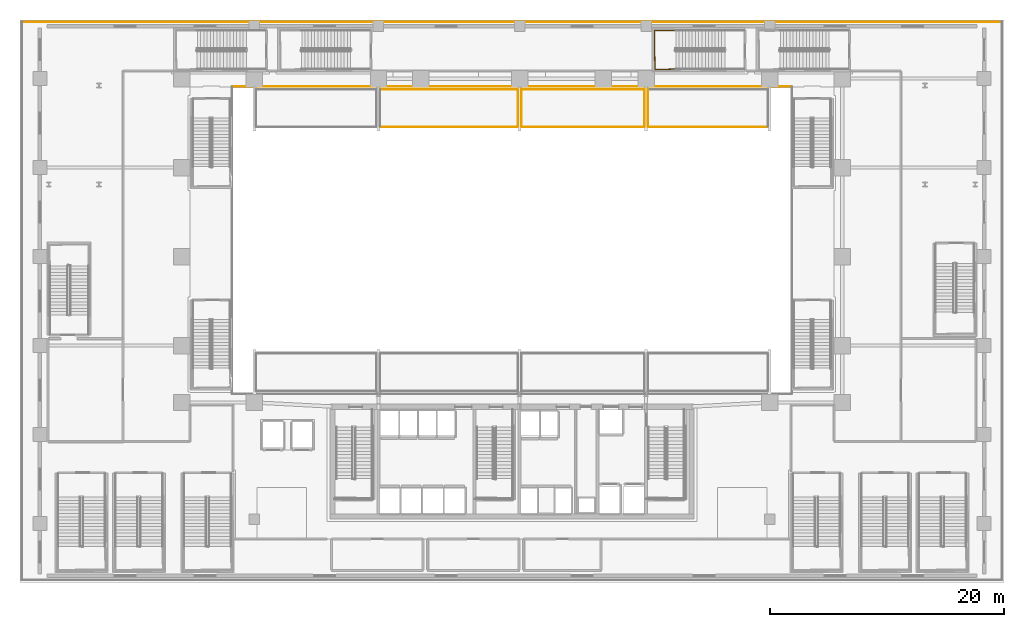
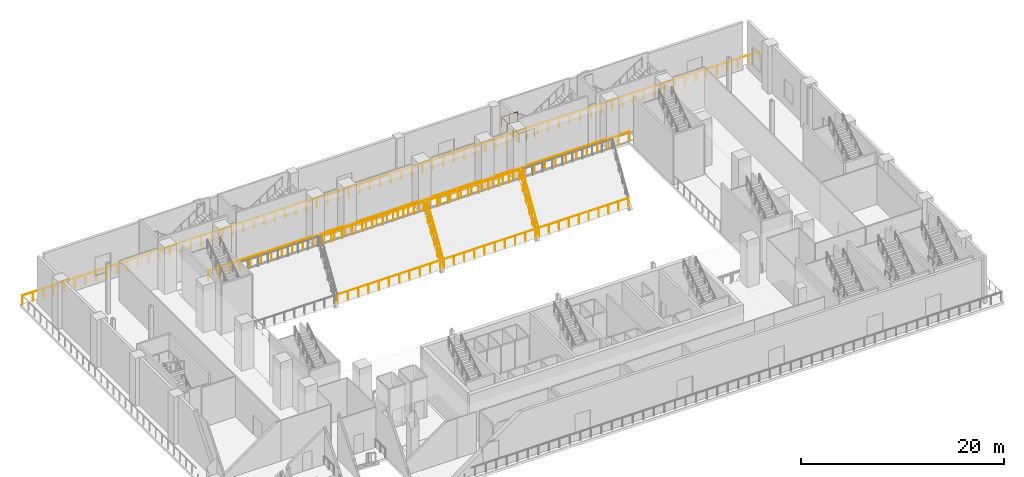
# One storey, part 24 of 30: 12 railings.
"""IFC4 building model written with IfcOpenShell, lengths in metres."""

from ifc_helpers import new_model, si_unit, direction, frame, origin, origin_2d, place, context, subcontext, project, spatial, circle, extrude, material, layer, layer_set, type_object, element, save


model = new_model("IFC4")

# Units and contexts
model_context = context("Model", 3, precision=1e-05, world=origin(), true_north=direction((0.0, 1.0)))
body_context = subcontext(model_context, "Body", "Model", "MODEL_VIEW")
ifc_project = project(units=[si_unit("LENGTHUNIT", "METRE"), si_unit("AREAUNIT", "SQUARE_METRE"), si_unit("VOLUMEUNIT", "CUBIC_METRE"), si_unit("PLANEANGLEUNIT", "RADIAN"), si_unit("MASSUNIT", "GRAM", prefix="KILO")], contexts=[model_context])

# Site, building, storey
site_placement = place(None, origin())
site = spatial("IfcSite", under=ifc_project, at=site_placement, CompositionType="ELEMENT")
building_placement = place(site_placement, origin())
building = spatial("IfcBuilding", under=site, at=building_placement, Name="Ndaravel Arena Tower", CompositionType="ELEMENT")
storey_placement = place(building_placement, frame((0.0, 0.0, 6.0)))
storey = spatial("IfcBuildingStorey", under=building, at=storey_placement, Name="L01", CompositionType="ELEMENT", Elevation=6.0)

# Railings
ifc_material_1 = material(Name="Steel S355", Category="steel")
ifc_layer_1 = layer(ifc_material_1, 0.06005859375)
ifc_layer_set_1 = layer_set([ifc_layer_1], Name="Steel S355")
railing_type_1 = type_object("IfcRailingType", Name="RAIL-STAIR-GD1100", PredefinedType="GUARDRAIL", material=ifc_layer_set_1)
railing_1_placement = place(storey_placement, frame((55.97998046875, 47.090087890625, 3.0)))
element("IfcRailing", 1, at=railing_1_placement, inside=storey, type_object=railing_type_1, Name="L01 ST-A10 stair guard 2", PredefinedType="GUARDRAIL", context=body_context, shape_type="SweptSolid", body=[
    extrude(circle(Radius=0.02392578125, at=origin_2d()), frame((0.0, 0.0, 1.076171875), z_axis=(-1.0, 0.0, 0.0), x_axis=(0.0, -1.0, 0.0)), (0.0, 0.0, 1.0), 1.830078125),
    extrude(circle(Radius=0.02392578125, at=origin_2d()), frame((-1.830078125, 0.0, 1.076171875), z_axis=(0.015027628384, -0.999887078817, 0.0), x_axis=(0.999887078817, 0.015027628384, 0.0)), (0.0, 0.0, 1.0), 3.33056640625),
    extrude(circle(Radius=0.02392578125, at=origin_2d()), frame((-1.780029296875, -3.330078125, 1.076171875), z_axis=(0.999604955407, 0.028105748986, 0.0), x_axis=(-0.028105748986, 0.999604955407, 0.0)), (0.0, 0.0, 1.0), 1.78076171875),
    extrude(circle(Radius=0.02099609375, at=origin_2d()), origin(), (0.0, 0.0, 1.0), 1.052001953125),
    extrude(circle(Radius=0.02099609375, at=origin_2d()), frame((-0.9150390625, 0.0, 0.0)), (0.0, 0.0, 1.0), 1.052001953125),
    extrude(circle(Radius=0.02099609375, at=origin_2d()), frame((-1.830078125, 0.0, 0.0)), (0.0, 0.0, 1.0), 1.052001953125),
    extrude(circle(Radius=0.02099609375, at=origin_2d()), frame((-1.8134765625, -1.110107421875, 0.0)), (0.0, 0.0, 1.0), 1.052001953125),
    extrude(circle(Radius=0.02099609375, at=origin_2d()), frame((-1.796630859375, -2.219970703125, 0.0)), (0.0, 0.0, 1.0), 1.052001953125),
    extrude(circle(Radius=0.02099609375, at=origin_2d()), frame((-1.780029296875, -3.330078125, 0.0)), (0.0, 0.0, 1.0), 1.052001953125),
    extrude(circle(Radius=0.02099609375, at=origin_2d()), frame((-0.89013671875, -3.30517578125, 0.0)), (0.0, 0.0, 1.0), 1.052001953125),
    extrude(circle(Radius=0.02099609375, at=origin_2d()), frame((0.0, -3.280029296875, 0.0)), (0.0, 0.0, 1.0), 1.052001953125),
])
ifc_material_2 = material(Name="Glazing", Category="glass")
ifc_layer_2 = layer(ifc_material_2, 0.070068359375)
ifc_layer_set_2 = layer_set([ifc_layer_2], Name="Glazing")
railing_type_2 = type_object("IfcRailingType", Name="RAIL-TERRACE-1150", PredefinedType="BALUSTRADE", material=ifc_layer_set_2)
railing_2_placement = place(storey_placement, frame((83.820068359375, 47.820068359375, 0.0)))
element("IfcRailing", 2, at=railing_2_placement, inside=storey, type_object=railing_type_2, Name="L01 Podium Perimeter Edge Guard 3", PredefinedType="BALUSTRADE", context=body_context, shape_type="SweptSolid", body=[
    extrude(circle(Radius=0.02392578125, at=origin_2d()), frame((0.0, 0.0, 1.1259765625), z_axis=(-1.0, 0.0, 0.0), x_axis=(0.0, -1.0, 0.0)), (0.0, 0.0, 1.0), 83.64013671875),
    extrude(circle(Radius=0.02099609375, at=origin_2d()), origin(), (0.0, 0.0, 1.0), 1.101806640625),
    extrude(circle(Radius=0.02099609375, at=origin_2d()), frame((-1.19482421875, 0.0, 0.0)), (0.0, 0.0, 1.0), 1.101806640625),
    extrude(circle(Radius=0.02099609375, at=origin_2d()), frame((-2.3896484375, 0.0, 0.0)), (0.0, 0.0, 1.0), 1.101806640625),
    extrude(circle(Radius=0.02099609375, at=origin_2d()), frame((-3.58447265625, 0.0, 0.0)), (0.0, 0.0, 1.0), 1.101806640625),
    extrude(circle(Radius=0.02099609375, at=origin_2d()), frame((-4.779541015625, 0.0, 0.0)), (0.0, 0.0, 1.0), 1.101806640625),
    extrude(circle(Radius=0.02099609375, at=origin_2d()), frame((-5.974365234375, 0.0, 0.0)), (0.0, 0.0, 1.0), 1.101806640625),
    extrude(circle(Radius=0.02099609375, at=origin_2d()), frame((-7.169189453125, 0.0, 0.0)), (0.0, 0.0, 1.0), 1.101806640625),
    extrude(circle(Radius=0.02099609375, at=origin_2d()), frame((-8.364013671875, 0.0, 0.0)), (0.0, 0.0, 1.0), 1.101806640625),
    extrude(circle(Radius=0.02099609375, at=origin_2d()), frame((-9.558837890625, 0.0, 0.0)), (0.0, 0.0, 1.0), 1.101806640625),
    extrude(circle(Radius=0.02099609375, at=origin_2d()), frame((-10.753662109375, 0.0, 0.0)), (0.0, 0.0, 1.0), 1.101806640625),
    extrude(circle(Radius=0.02099609375, at=origin_2d()), frame((-11.948486328125, 0.0, 0.0)), (0.0, 0.0, 1.0), 1.101806640625),
    extrude(circle(Radius=0.02099609375, at=origin_2d()), frame((-13.1435546875, 0.0, 0.0)), (0.0, 0.0, 1.0), 1.101806640625),
    extrude(circle(Radius=0.02099609375, at=origin_2d()), frame((-14.33837890625, 0.0, 0.0)), (0.0, 0.0, 1.0), 1.101806640625),
    extrude(circle(Radius=0.02099609375, at=origin_2d()), frame((-15.533203125, 0.0, 0.0)), (0.0, 0.0, 1.0), 1.101806640625),
    extrude(circle(Radius=0.02099609375, at=origin_2d()), frame((-16.72802734375, 0.0, 0.0)), (0.0, 0.0, 1.0), 1.101806640625),
    extrude(circle(Radius=0.02099609375, at=origin_2d()), frame((-17.9228515625, 0.0, 0.0)), (0.0, 0.0, 1.0), 1.101806640625),
    extrude(circle(Radius=0.02099609375, at=origin_2d()), frame((-19.11767578125, 0.0, 0.0)), (0.0, 0.0, 1.0), 1.101806640625),
    extrude(circle(Radius=0.02099609375, at=origin_2d()), frame((-20.3125, 0.0, 0.0)), (0.0, 0.0, 1.0), 1.101806640625),
    extrude(circle(Radius=0.02099609375, at=origin_2d()), frame((-21.507568359375, 0.0, 0.0)), (0.0, 0.0, 1.0), 1.101806640625),
    extrude(circle(Radius=0.02099609375, at=origin_2d()), frame((-22.702392578125, 0.0, 0.0)), (0.0, 0.0, 1.0), 1.101806640625),
    extrude(circle(Radius=0.02099609375, at=origin_2d()), frame((-23.897216796875, 0.0, 0.0)), (0.0, 0.0, 1.0), 1.101806640625),
    extrude(circle(Radius=0.02099609375, at=origin_2d()), frame((-25.092041015625, 0.0, 0.0)), (0.0, 0.0, 1.0), 1.101806640625),
    extrude(circle(Radius=0.02099609375, at=origin_2d()), frame((-26.286865234375, 0.0, 0.0)), (0.0, 0.0, 1.0), 1.101806640625),
    extrude(circle(Radius=0.02099609375, at=origin_2d()), frame((-27.481689453125, 0.0, 0.0)), (0.0, 0.0, 1.0), 1.101806640625),
    extrude(circle(Radius=0.02099609375, at=origin_2d()), frame((-28.676513671875, 0.0, 0.0)), (0.0, 0.0, 1.0), 1.101806640625),
    extrude(circle(Radius=0.02099609375, at=origin_2d()), frame((-29.87158203125, 0.0, 0.0)), (0.0, 0.0, 1.0), 1.101806640625),
    extrude(circle(Radius=0.02099609375, at=origin_2d()), frame((-31.06640625, 0.0, 0.0)), (0.0, 0.0, 1.0), 1.101806640625),
    extrude(circle(Radius=0.02099609375, at=origin_2d()), frame((-32.26123046875, 0.0, 0.0)), (0.0, 0.0, 1.0), 1.101806640625),
    extrude(circle(Radius=0.02099609375, at=origin_2d()), frame((-33.4560546875, 0.0, 0.0)), (0.0, 0.0, 1.0), 1.101806640625),
    extrude(circle(Radius=0.02099609375, at=origin_2d()), frame((-34.65087890625, 0.0, 0.0)), (0.0, 0.0, 1.0), 1.101806640625),
    extrude(circle(Radius=0.02099609375, at=origin_2d()), frame((-35.845703125, 0.0, 0.0)), (0.0, 0.0, 1.0), 1.101806640625),
    extrude(circle(Radius=0.02099609375, at=origin_2d()), frame((-37.04052734375, 0.0, 0.0)), (0.0, 0.0, 1.0), 1.101806640625),
    extrude(circle(Radius=0.02099609375, at=origin_2d()), frame((-38.235595703125, 0.0, 0.0)), (0.0, 0.0, 1.0), 1.101806640625),
    extrude(circle(Radius=0.02099609375, at=origin_2d()), frame((-39.430419921875, 0.0, 0.0)), (0.0, 0.0, 1.0), 1.101806640625),
    extrude(circle(Radius=0.02099609375, at=origin_2d()), frame((-40.625244140625, 0.0, 0.0)), (0.0, 0.0, 1.0), 1.101806640625),
    extrude(circle(Radius=0.02099609375, at=origin_2d()), frame((-41.820068359375, 0.0, 0.0)), (0.0, 0.0, 1.0), 1.101806640625),
    extrude(circle(Radius=0.02099609375, at=origin_2d()), frame((-43.014892578125, 0.0, 0.0)), (0.0, 0.0, 1.0), 1.101806640625),
    extrude(circle(Radius=0.02099609375, at=origin_2d()), frame((-44.209716796875, 0.0, 0.0)), (0.0, 0.0, 1.0), 1.101806640625),
    extrude(circle(Radius=0.02099609375, at=origin_2d()), frame((-45.404541015625, 0.0, 0.0)), (0.0, 0.0, 1.0), 1.101806640625),
    extrude(circle(Radius=0.02099609375, at=origin_2d()), frame((-46.599609375, 0.0, 0.0)), (0.0, 0.0, 1.0), 1.101806640625),
    extrude(circle(Radius=0.02099609375, at=origin_2d()), frame((-47.79443359375, 0.0, 0.0)), (0.0, 0.0, 1.0), 1.101806640625),
    extrude(circle(Radius=0.02099609375, at=origin_2d()), frame((-48.9892578125, 0.0, 0.0)), (0.0, 0.0, 1.0), 1.101806640625),
    extrude(circle(Radius=0.02099609375, at=origin_2d()), frame((-50.18408203125, 0.0, 0.0)), (0.0, 0.0, 1.0), 1.101806640625),
    extrude(circle(Radius=0.02099609375, at=origin_2d()), frame((-51.37890625, 0.0, 0.0)), (0.0, 0.0, 1.0), 1.101806640625),
    extrude(circle(Radius=0.02099609375, at=origin_2d()), frame((-52.57373046875, 0.0, 0.0)), (0.0, 0.0, 1.0), 1.101806640625),
    extrude(circle(Radius=0.02099609375, at=origin_2d()), frame((-53.7685546875, 0.0, 0.0)), (0.0, 0.0, 1.0), 1.101806640625),
    extrude(circle(Radius=0.02099609375, at=origin_2d()), frame((-54.963623046875, 0.0, 0.0)), (0.0, 0.0, 1.0), 1.101806640625),
    extrude(circle(Radius=0.02099609375, at=origin_2d()), frame((-56.158447265625, 0.0, 0.0)), (0.0, 0.0, 1.0), 1.101806640625),
    extrude(circle(Radius=0.02099609375, at=origin_2d()), frame((-57.353271484375, 0.0, 0.0)), (0.0, 0.0, 1.0), 1.101806640625),
    extrude(circle(Radius=0.02099609375, at=origin_2d()), frame((-58.548095703125, 0.0, 0.0)), (0.0, 0.0, 1.0), 1.101806640625),
    extrude(circle(Radius=0.02099609375, at=origin_2d()), frame((-59.742919921875, 0.0, 0.0)), (0.0, 0.0, 1.0), 1.101806640625),
    extrude(circle(Radius=0.02099609375, at=origin_2d()), frame((-60.937744140625, 0.0, 0.0)), (0.0, 0.0, 1.0), 1.101806640625),
    extrude(circle(Radius=0.02099609375, at=origin_2d()), frame((-62.132568359375, 0.0, 0.0)), (0.0, 0.0, 1.0), 1.101806640625),
    extrude(circle(Radius=0.02099609375, at=origin_2d()), frame((-63.32763671875, 0.0, 0.0)), (0.0, 0.0, 1.0), 1.101806640625),
    extrude(circle(Radius=0.02099609375, at=origin_2d()), frame((-64.5224609375, 0.0, 0.0)), (0.0, 0.0, 1.0), 1.101806640625),
    extrude(circle(Radius=0.02099609375, at=origin_2d()), frame((-65.71728515625, 0.0, 0.0)), (0.0, 0.0, 1.0), 1.101806640625),
    extrude(circle(Radius=0.02099609375, at=origin_2d()), frame((-66.912109375, 0.0, 0.0)), (0.0, 0.0, 1.0), 1.101806640625),
    extrude(circle(Radius=0.02099609375, at=origin_2d()), frame((-68.10693359375, 0.0, 0.0)), (0.0, 0.0, 1.0), 1.101806640625),
    extrude(circle(Radius=0.02099609375, at=origin_2d()), frame((-69.3017578125, 0.0, 0.0)), (0.0, 0.0, 1.0), 1.101806640625),
    extrude(circle(Radius=0.02099609375, at=origin_2d()), frame((-70.49658203125, 0.0, 0.0)), (0.0, 0.0, 1.0), 1.101806640625),
    extrude(circle(Radius=0.02099609375, at=origin_2d()), frame((-71.691650390625, 0.0, 0.0)), (0.0, 0.0, 1.0), 1.101806640625),
    extrude(circle(Radius=0.02099609375, at=origin_2d()), frame((-72.886474609375, 0.0, 0.0)), (0.0, 0.0, 1.0), 1.101806640625),
    extrude(circle(Radius=0.02099609375, at=origin_2d()), frame((-74.081298828125, 0.0, 0.0)), (0.0, 0.0, 1.0), 1.101806640625),
    extrude(circle(Radius=0.02099609375, at=origin_2d()), frame((-75.276123046875, 0.0, 0.0)), (0.0, 0.0, 1.0), 1.101806640625),
    extrude(circle(Radius=0.02099609375, at=origin_2d()), frame((-76.470947265625, 0.0, 0.0)), (0.0, 0.0, 1.0), 1.101806640625),
    extrude(circle(Radius=0.02099609375, at=origin_2d()), frame((-77.665771484375, 0.0, 0.0)), (0.0, 0.0, 1.0), 1.101806640625),
    extrude(circle(Radius=0.02099609375, at=origin_2d()), frame((-78.860595703125, 0.0, 0.0)), (0.0, 0.0, 1.0), 1.101806640625),
    extrude(circle(Radius=0.02099609375, at=origin_2d()), frame((-80.0556640625, 0.0, 0.0)), (0.0, 0.0, 1.0), 1.101806640625),
    extrude(circle(Radius=0.02099609375, at=origin_2d()), frame((-81.25048828125, 0.0, 0.0)), (0.0, 0.0, 1.0), 1.101806640625),
    extrude(circle(Radius=0.02099609375, at=origin_2d()), frame((-82.4453125, 0.0, 0.0)), (0.0, 0.0, 1.0), 1.101806640625),
    extrude(circle(Radius=0.02099609375, at=origin_2d()), frame((-83.64013671875, 0.0, 0.0)), (0.0, 0.0, 1.0), 1.101806640625),
])
railing_3_placement = place(storey_placement, frame((65.8798828125, 42.320068359375, 0.0)))
element("IfcRailing", 3, at=railing_3_placement, inside=storey, type_object=railing_type_2, Name="L01 Arena Bowl Concourse N Balustrade", PredefinedType="BALUSTRADE", context=body_context, shape_type="SweptSolid", body=[
    extrude(circle(Radius=0.02392578125, at=origin_2d()), frame((0.0, 0.0, 1.1259765625), z_axis=(-1.0, 0.0, 0.0), x_axis=(0.0, -1.0, 0.0)), (0.0, 0.0, 1.0), 47.759765625),
    extrude(circle(Radius=0.02099609375, at=origin_2d()), origin(), (0.0, 0.0, 1.0), 1.101806640625),
    extrude(circle(Radius=0.02099609375, at=origin_2d()), frame((-1.194091796875, 0.0, 0.0)), (0.0, 0.0, 1.0), 1.101806640625),
    extrude(circle(Radius=0.02099609375, at=origin_2d()), frame((-2.387939453125, 0.0, 0.0)), (0.0, 0.0, 1.0), 1.101806640625),
    extrude(circle(Radius=0.02099609375, at=origin_2d()), frame((-3.58203125, 0.0, 0.0)), (0.0, 0.0, 1.0), 1.101806640625),
    extrude(circle(Radius=0.02099609375, at=origin_2d()), frame((-4.77587890625, 0.0, 0.0)), (0.0, 0.0, 1.0), 1.101806640625),
    extrude(circle(Radius=0.02099609375, at=origin_2d()), frame((-5.969970703125, 0.0, 0.0)), (0.0, 0.0, 1.0), 1.101806640625),
    extrude(circle(Radius=0.02099609375, at=origin_2d()), frame((-7.1640625, 0.0, 0.0)), (0.0, 0.0, 1.0), 1.101806640625),
    extrude(circle(Radius=0.02099609375, at=origin_2d()), frame((-8.35791015625, 0.0, 0.0)), (0.0, 0.0, 1.0), 1.101806640625),
    extrude(circle(Radius=0.02099609375, at=origin_2d()), frame((-9.552001953125, 0.0, 0.0)), (0.0, 0.0, 1.0), 1.101806640625),
    extrude(circle(Radius=0.02099609375, at=origin_2d()), frame((-10.745849609375, 0.0, 0.0)), (0.0, 0.0, 1.0), 1.101806640625),
    extrude(circle(Radius=0.02099609375, at=origin_2d()), frame((-11.93994140625, 0.0, 0.0)), (0.0, 0.0, 1.0), 1.101806640625),
    extrude(circle(Radius=0.02099609375, at=origin_2d()), frame((-13.134033203125, 0.0, 0.0)), (0.0, 0.0, 1.0), 1.101806640625),
    extrude(circle(Radius=0.02099609375, at=origin_2d()), frame((-14.327880859375, 0.0, 0.0)), (0.0, 0.0, 1.0), 1.101806640625),
    extrude(circle(Radius=0.02099609375, at=origin_2d()), frame((-15.52197265625, 0.0, 0.0)), (0.0, 0.0, 1.0), 1.101806640625),
    extrude(circle(Radius=0.02099609375, at=origin_2d()), frame((-16.7158203125, 0.0, 0.0)), (0.0, 0.0, 1.0), 1.101806640625),
    extrude(circle(Radius=0.02099609375, at=origin_2d()), frame((-17.909912109375, 0.0, 0.0)), (0.0, 0.0, 1.0), 1.101806640625),
    extrude(circle(Radius=0.02099609375, at=origin_2d()), frame((-19.10400390625, 0.0, 0.0)), (0.0, 0.0, 1.0), 1.101806640625),
    extrude(circle(Radius=0.02099609375, at=origin_2d()), frame((-20.2978515625, 0.0, 0.0)), (0.0, 0.0, 1.0), 1.101806640625),
    extrude(circle(Radius=0.02099609375, at=origin_2d()), frame((-21.491943359375, 0.0, 0.0)), (0.0, 0.0, 1.0), 1.101806640625),
    extrude(circle(Radius=0.02099609375, at=origin_2d()), frame((-22.685791015625, 0.0, 0.0)), (0.0, 0.0, 1.0), 1.101806640625),
    extrude(circle(Radius=0.02099609375, at=origin_2d()), frame((-23.8798828125, 0.0, 0.0)), (0.0, 0.0, 1.0), 1.101806640625),
    extrude(circle(Radius=0.02099609375, at=origin_2d()), frame((-25.073974609375, 0.0, 0.0)), (0.0, 0.0, 1.0), 1.101806640625),
    extrude(circle(Radius=0.02099609375, at=origin_2d()), frame((-26.267822265625, 0.0, 0.0)), (0.0, 0.0, 1.0), 1.101806640625),
    extrude(circle(Radius=0.02099609375, at=origin_2d()), frame((-27.4619140625, 0.0, 0.0)), (0.0, 0.0, 1.0), 1.101806640625),
    extrude(circle(Radius=0.02099609375, at=origin_2d()), frame((-28.65576171875, 0.0, 0.0)), (0.0, 0.0, 1.0), 1.101806640625),
    extrude(circle(Radius=0.02099609375, at=origin_2d()), frame((-29.849853515625, 0.0, 0.0)), (0.0, 0.0, 1.0), 1.101806640625),
    extrude(circle(Radius=0.02099609375, at=origin_2d()), frame((-31.0439453125, 0.0, 0.0)), (0.0, 0.0, 1.0), 1.101806640625),
    extrude(circle(Radius=0.02099609375, at=origin_2d()), frame((-32.23779296875, 0.0, 0.0)), (0.0, 0.0, 1.0), 1.101806640625),
    extrude(circle(Radius=0.02099609375, at=origin_2d()), frame((-33.431884765625, 0.0, 0.0)), (0.0, 0.0, 1.0), 1.101806640625),
    extrude(circle(Radius=0.02099609375, at=origin_2d()), frame((-34.625732421875, 0.0, 0.0)), (0.0, 0.0, 1.0), 1.101806640625),
    extrude(circle(Radius=0.02099609375, at=origin_2d()), frame((-35.81982421875, 0.0, 0.0)), (0.0, 0.0, 1.0), 1.101806640625),
    extrude(circle(Radius=0.02099609375, at=origin_2d()), frame((-37.013916015625, 0.0, 0.0)), (0.0, 0.0, 1.0), 1.101806640625),
    extrude(circle(Radius=0.02099609375, at=origin_2d()), frame((-38.207763671875, 0.0, 0.0)), (0.0, 0.0, 1.0), 1.101806640625),
    extrude(circle(Radius=0.02099609375, at=origin_2d()), frame((-39.40185546875, 0.0, 0.0)), (0.0, 0.0, 1.0), 1.101806640625),
    extrude(circle(Radius=0.02099609375, at=origin_2d()), frame((-40.595703125, 0.0, 0.0)), (0.0, 0.0, 1.0), 1.101806640625),
    extrude(circle(Radius=0.02099609375, at=origin_2d()), frame((-41.789794921875, 0.0, 0.0)), (0.0, 0.0, 1.0), 1.101806640625),
    extrude(circle(Radius=0.02099609375, at=origin_2d()), frame((-42.98388671875, 0.0, 0.0)), (0.0, 0.0, 1.0), 1.101806640625),
    extrude(circle(Radius=0.02099609375, at=origin_2d()), frame((-44.177734375, 0.0, 0.0)), (0.0, 0.0, 1.0), 1.101806640625),
    extrude(circle(Radius=0.02099609375, at=origin_2d()), frame((-45.371826171875, 0.0, 0.0)), (0.0, 0.0, 1.0), 1.101806640625),
    extrude(circle(Radius=0.02099609375, at=origin_2d()), frame((-46.565673828125, 0.0, 0.0)), (0.0, 0.0, 1.0), 1.101806640625),
    extrude(circle(Radius=0.02099609375, at=origin_2d()), frame((-47.759765625, 0.0, 0.0)), (0.0, 0.0, 1.0), 1.101806640625),
])
railing_4_placement = place(storey_placement, frame((30.7900390625, 38.85009765625, -5.14990234375)))
element("IfcRailing", 4, at=railing_4_placement, inside=storey, type_object=railing_type_2, Name="L01 Lower North Stand Guard 2F", PredefinedType="BALUSTRADE", context=body_context, shape_type="SweptSolid", body=[
    extrude(circle(Radius=0.02392578125, at=origin_2d()), frame((0.0, 0.0, 1.1259765625), z_axis=(1.0, 0.0, 0.0), x_axis=(0.0, 1.0, 0.0)), (0.0, 0.0, 1.0), 11.669921875),
    extrude(circle(Radius=0.02099609375, at=origin_2d()), origin(), (0.0, 0.0, 1.0), 1.101806640625),
    extrude(circle(Radius=0.02099609375, at=origin_2d()), frame((1.1669921875, 0.0, 0.0)), (0.0, 0.0, 1.0), 1.101806640625),
    extrude(circle(Radius=0.02099609375, at=origin_2d()), frame((2.333984375, 0.0, 0.0)), (0.0, 0.0, 1.0), 1.101806640625),
    extrude(circle(Radius=0.02099609375, at=origin_2d()), frame((3.5009765625, 0.0, 0.0)), (0.0, 0.0, 1.0), 1.101806640625),
    extrude(circle(Radius=0.02099609375, at=origin_2d()), frame((4.66796875, 0.0, 0.0)), (0.0, 0.0, 1.0), 1.101806640625),
    extrude(circle(Radius=0.02099609375, at=origin_2d()), frame((5.8349609375, 0.0, 0.0)), (0.0, 0.0, 1.0), 1.101806640625),
    extrude(circle(Radius=0.02099609375, at=origin_2d()), frame((7.001953125, 0.0, 0.0)), (0.0, 0.0, 1.0), 1.101806640625),
    extrude(circle(Radius=0.02099609375, at=origin_2d()), frame((8.1689453125, 0.0, 0.0)), (0.0, 0.0, 1.0), 1.101806640625),
    extrude(circle(Radius=0.02099609375, at=origin_2d()), frame((9.3359375, 0.0, 0.0)), (0.0, 0.0, 1.0), 1.101806640625),
    extrude(circle(Radius=0.02099609375, at=origin_2d()), frame((10.5029296875, 0.0, 0.0)), (0.0, 0.0, 1.0), 1.101806640625),
    extrude(circle(Radius=0.02099609375, at=origin_2d()), frame((11.669921875, 0.0, 0.0)), (0.0, 0.0, 1.0), 1.101806640625),
])
railing_5_placement = place(storey_placement, frame((42.5, 38.889892578125, -5.090087890625)))
element("IfcRailing", 5, at=railing_5_placement, inside=storey, type_object=railing_type_2, Name="L01 Lower North Stand Guard 2E", PredefinedType="BALUSTRADE", context=body_context, shape_type="SweptSolid", body=[
    extrude(circle(Radius=0.02392578125, at=origin_2d()), frame((0.0, 0.0, 1.1259765625), z_axis=(0.0, 0.531223134667, 0.847231952416), x_axis=(-1.0, 0.0, 0.0)), (0.0, 0.0, 1.0), 5.94873046875),
    extrude(circle(Radius=0.02099609375, at=origin_2d()), origin(), (0.0, 0.0, 1.0), 1.101806640625),
    extrude(circle(Radius=0.02099609375, at=origin_2d()), frame((0.0, 0.632080078125, 1.008056640625)), (0.0, 0.0, 1.0), 1.101806640625),
    extrude(circle(Radius=0.02099609375, at=origin_2d()), frame((0.0, 1.26416015625, 2.01611328125)), (0.0, 0.0, 1.0), 1.101806640625),
    extrude(circle(Radius=0.02099609375, at=origin_2d()), frame((0.0, 1.89599609375, 3.02392578125)), (0.0, 0.0, 1.0), 1.101806640625),
    extrude(circle(Radius=0.02099609375, at=origin_2d()), frame((0.0, 2.528076171875, 4.031982421875)), (0.0, 0.0, 1.0), 1.101806640625),
    extrude(circle(Radius=0.02099609375, at=origin_2d()), frame((0.0, 3.16015625, 5.0400390625)), (0.0, 0.0, 1.0), 1.101806640625),
])
railing_6_placement = place(storey_placement, frame((30.7900390625, 42.080078125, -0.050048828125)))
element("IfcRailing", 6, at=railing_6_placement, inside=storey, type_object=railing_type_2, Name="L01 Lower North Stand Guard 2T", PredefinedType="BALUSTRADE", context=body_context, shape_type="SweptSolid", body=[
    extrude(circle(Radius=0.02392578125, at=origin_2d()), frame((0.0, 0.0, 1.1259765625), z_axis=(1.0, 0.0, 0.0), x_axis=(0.0, 1.0, 0.0)), (0.0, 0.0, 1.0), 11.669921875),
    extrude(circle(Radius=0.02099609375, at=origin_2d()), origin(), (0.0, 0.0, 1.0), 1.101806640625),
    extrude(circle(Radius=0.02099609375, at=origin_2d()), frame((1.1669921875, 0.0, 0.0)), (0.0, 0.0, 1.0), 1.101806640625),
    extrude(circle(Radius=0.02099609375, at=origin_2d()), frame((2.333984375, 0.0, 0.0)), (0.0, 0.0, 1.0), 1.101806640625),
    extrude(circle(Radius=0.02099609375, at=origin_2d()), frame((3.5009765625, 0.0, 0.0)), (0.0, 0.0, 1.0), 1.101806640625),
    extrude(circle(Radius=0.02099609375, at=origin_2d()), frame((4.66796875, 0.0, 0.0)), (0.0, 0.0, 1.0), 1.101806640625),
    extrude(circle(Radius=0.02099609375, at=origin_2d()), frame((5.8349609375, 0.0, 0.0)), (0.0, 0.0, 1.0), 1.101806640625),
    extrude(circle(Radius=0.02099609375, at=origin_2d()), frame((7.001953125, 0.0, 0.0)), (0.0, 0.0, 1.0), 1.101806640625),
    extrude(circle(Radius=0.02099609375, at=origin_2d()), frame((8.1689453125, 0.0, 0.0)), (0.0, 0.0, 1.0), 1.101806640625),
    extrude(circle(Radius=0.02099609375, at=origin_2d()), frame((9.3359375, 0.0, 0.0)), (0.0, 0.0, 1.0), 1.101806640625),
    extrude(circle(Radius=0.02099609375, at=origin_2d()), frame((10.5029296875, 0.0, 0.0)), (0.0, 0.0, 1.0), 1.101806640625),
    extrude(circle(Radius=0.02099609375, at=origin_2d()), frame((11.669921875, 0.0, 0.0)), (0.0, 0.0, 1.0), 1.101806640625),
])
railing_7_placement = place(storey_placement, frame((42.800048828125, 42.050048828125, -0.050048828125)))
element("IfcRailing", 7, at=railing_7_placement, inside=storey, type_object=railing_type_2, Name="L01 Lower North Stand Guard 3W", PredefinedType="BALUSTRADE", context=body_context, shape_type="SweptSolid", body=[
    extrude(circle(Radius=0.02392578125, at=origin_2d()), frame((0.0, 0.0, 1.1259765625), z_axis=(0.0, -0.531223134667, -0.847231952416), x_axis=(1.0, 0.0, 0.0)), (0.0, 0.0, 1.0), 5.94873046875),
    extrude(circle(Radius=0.02099609375, at=origin_2d()), origin(), (0.0, 0.0, 1.0), 1.101806640625),
    extrude(circle(Radius=0.02099609375, at=origin_2d()), frame((0.0, -0.632080078125, -1.008056640625)), (0.0, 0.0, 1.0), 1.101806640625),
    extrude(circle(Radius=0.02099609375, at=origin_2d()), frame((0.0, -1.26416015625, -2.01611328125)), (0.0, 0.0, 1.0), 1.101806640625),
    extrude(circle(Radius=0.02099609375, at=origin_2d()), frame((0.0, -1.89599609375, -3.02392578125)), (0.0, 0.0, 1.0), 1.101806640625),
    extrude(circle(Radius=0.02099609375, at=origin_2d()), frame((0.0, -2.528076171875, -4.031982421875)), (0.0, 0.0, 1.0), 1.101806640625),
    extrude(circle(Radius=0.02099609375, at=origin_2d()), frame((0.0, -3.16015625, -5.0400390625)), (0.0, 0.0, 1.0), 1.101806640625),
])
railing_8_placement = place(storey_placement, frame((42.840087890625, 38.85009765625, -5.14990234375)))
element("IfcRailing", 8, at=railing_8_placement, inside=storey, type_object=railing_type_2, Name="L01 Lower North Stand Guard 3F", PredefinedType="BALUSTRADE", context=body_context, shape_type="SweptSolid", body=[
    extrude(circle(Radius=0.02392578125, at=origin_2d()), frame((0.0, 0.0, 1.1259765625), z_axis=(1.0, 0.0, 0.0), x_axis=(0.0, 1.0, 0.0)), (0.0, 0.0, 1.0), 10.419921875),
    extrude(circle(Radius=0.02099609375, at=origin_2d()), origin(), (0.0, 0.0, 1.0), 1.101806640625),
    extrude(circle(Radius=0.02099609375, at=origin_2d()), frame((1.15771484375, 0.0, 0.0)), (0.0, 0.0, 1.0), 1.101806640625),
    extrude(circle(Radius=0.02099609375, at=origin_2d()), frame((2.3154296875, 0.0, 0.0)), (0.0, 0.0, 1.0), 1.101806640625),
    extrude(circle(Radius=0.02099609375, at=origin_2d()), frame((3.473388671875, 0.0, 0.0)), (0.0, 0.0, 1.0), 1.101806640625),
    extrude(circle(Radius=0.02099609375, at=origin_2d()), frame((4.631103515625, 0.0, 0.0)), (0.0, 0.0, 1.0), 1.101806640625),
    extrude(circle(Radius=0.02099609375, at=origin_2d()), frame((5.788818359375, 0.0, 0.0)), (0.0, 0.0, 1.0), 1.101806640625),
    extrude(circle(Radius=0.02099609375, at=origin_2d()), frame((6.946533203125, 0.0, 0.0)), (0.0, 0.0, 1.0), 1.101806640625),
    extrude(circle(Radius=0.02099609375, at=origin_2d()), frame((8.1044921875, 0.0, 0.0)), (0.0, 0.0, 1.0), 1.101806640625),
    extrude(circle(Radius=0.02099609375, at=origin_2d()), frame((9.26220703125, 0.0, 0.0)), (0.0, 0.0, 1.0), 1.101806640625),
    extrude(circle(Radius=0.02099609375, at=origin_2d()), frame((10.419921875, 0.0, 0.0)), (0.0, 0.0, 1.0), 1.101806640625),
])
railing_9_placement = place(storey_placement, frame((53.300048828125, 38.889892578125, -5.090087890625)))
element("IfcRailing", 9, at=railing_9_placement, inside=storey, type_object=railing_type_2, Name="L01 Lower North Stand Guard 3E", PredefinedType="BALUSTRADE", context=body_context, shape_type="SweptSolid", body=[
    extrude(circle(Radius=0.02392578125, at=origin_2d()), frame((0.0, 0.0, 1.1259765625), z_axis=(0.0, 0.531223134667, 0.847231952416), x_axis=(-1.0, 0.0, 0.0)), (0.0, 0.0, 1.0), 5.94873046875),
    extrude(circle(Radius=0.02099609375, at=origin_2d()), origin(), (0.0, 0.0, 1.0), 1.101806640625),
    extrude(circle(Radius=0.02099609375, at=origin_2d()), frame((0.0, 0.632080078125, 1.008056640625)), (0.0, 0.0, 1.0), 1.101806640625),
    extrude(circle(Radius=0.02099609375, at=origin_2d()), frame((0.0, 1.26416015625, 2.01611328125)), (0.0, 0.0, 1.0), 1.101806640625),
    extrude(circle(Radius=0.02099609375, at=origin_2d()), frame((0.0, 1.89599609375, 3.02392578125)), (0.0, 0.0, 1.0), 1.101806640625),
    extrude(circle(Radius=0.02099609375, at=origin_2d()), frame((0.0, 2.528076171875, 4.031982421875)), (0.0, 0.0, 1.0), 1.101806640625),
    extrude(circle(Radius=0.02099609375, at=origin_2d()), frame((0.0, 3.16015625, 5.0400390625)), (0.0, 0.0, 1.0), 1.101806640625),
])
railing_10_placement = place(storey_placement, frame((42.840087890625, 42.080078125, -0.050048828125)))
element("IfcRailing", 10, at=railing_10_placement, inside=storey, type_object=railing_type_2, Name="L01 Lower North Stand Guard 3T", PredefinedType="BALUSTRADE", context=body_context, shape_type="SweptSolid", body=[
    extrude(circle(Radius=0.02392578125, at=origin_2d()), frame((0.0, 0.0, 1.1259765625), z_axis=(1.0, 0.0, 0.0), x_axis=(0.0, 1.0, 0.0)), (0.0, 0.0, 1.0), 10.419921875),
    extrude(circle(Radius=0.02099609375, at=origin_2d()), origin(), (0.0, 0.0, 1.0), 1.101806640625),
    extrude(circle(Radius=0.02099609375, at=origin_2d()), frame((1.15771484375, 0.0, 0.0)), (0.0, 0.0, 1.0), 1.101806640625),
    extrude(circle(Radius=0.02099609375, at=origin_2d()), frame((2.3154296875, 0.0, 0.0)), (0.0, 0.0, 1.0), 1.101806640625),
    extrude(circle(Radius=0.02099609375, at=origin_2d()), frame((3.473388671875, 0.0, 0.0)), (0.0, 0.0, 1.0), 1.101806640625),
    extrude(circle(Radius=0.02099609375, at=origin_2d()), frame((4.631103515625, 0.0, 0.0)), (0.0, 0.0, 1.0), 1.101806640625),
    extrude(circle(Radius=0.02099609375, at=origin_2d()), frame((5.788818359375, 0.0, 0.0)), (0.0, 0.0, 1.0), 1.101806640625),
    extrude(circle(Radius=0.02099609375, at=origin_2d()), frame((6.946533203125, 0.0, 0.0)), (0.0, 0.0, 1.0), 1.101806640625),
    extrude(circle(Radius=0.02099609375, at=origin_2d()), frame((8.1044921875, 0.0, 0.0)), (0.0, 0.0, 1.0), 1.101806640625),
    extrude(circle(Radius=0.02099609375, at=origin_2d()), frame((9.26220703125, 0.0, 0.0)), (0.0, 0.0, 1.0), 1.101806640625),
    extrude(circle(Radius=0.02099609375, at=origin_2d()), frame((10.419921875, 0.0, 0.0)), (0.0, 0.0, 1.0), 1.101806640625),
])
railing_11_placement = place(storey_placement, frame((53.60009765625, 42.050048828125, -0.050048828125)))
element("IfcRailing", 11, at=railing_11_placement, inside=storey, type_object=railing_type_2, Name="L01 Lower North Stand Guard 4W", PredefinedType="BALUSTRADE", context=body_context, shape_type="SweptSolid", body=[
    extrude(circle(Radius=0.02392578125, at=origin_2d()), frame((0.0, 0.0, 1.1259765625), z_axis=(0.0, -0.531223134667, -0.847231952416), x_axis=(1.0, 0.0, 0.0)), (0.0, 0.0, 1.0), 5.94873046875),
    extrude(circle(Radius=0.02099609375, at=origin_2d()), origin(), (0.0, 0.0, 1.0), 1.101806640625),
    extrude(circle(Radius=0.02099609375, at=origin_2d()), frame((0.0, -0.632080078125, -1.008056640625)), (0.0, 0.0, 1.0), 1.101806640625),
    extrude(circle(Radius=0.02099609375, at=origin_2d()), frame((0.0, -1.26416015625, -2.01611328125)), (0.0, 0.0, 1.0), 1.101806640625),
    extrude(circle(Radius=0.02099609375, at=origin_2d()), frame((0.0, -1.89599609375, -3.02392578125)), (0.0, 0.0, 1.0), 1.101806640625),
    extrude(circle(Radius=0.02099609375, at=origin_2d()), frame((0.0, -2.528076171875, -4.031982421875)), (0.0, 0.0, 1.0), 1.101806640625),
    extrude(circle(Radius=0.02099609375, at=origin_2d()), frame((0.0, -3.16015625, -5.0400390625)), (0.0, 0.0, 1.0), 1.101806640625),
])
railing_12_placement = place(storey_placement, frame((53.639892578125, 38.85009765625, -5.14990234375)))
element("IfcRailing", 12, at=railing_12_placement, inside=storey, type_object=railing_type_2, Name="L01 Lower North Stand Guard 4F", PredefinedType="BALUSTRADE", context=body_context, shape_type="SweptSolid", body=[
    extrude(circle(Radius=0.02392578125, at=origin_2d()), frame((0.0, 0.0, 1.1259765625), z_axis=(1.0, 0.0, 0.0), x_axis=(0.0, 1.0, 0.0)), (0.0, 0.0, 1.0), 10.170166015625),
    extrude(circle(Radius=0.02099609375, at=origin_2d()), origin(), (0.0, 0.0, 1.0), 1.101806640625),
    extrude(circle(Radius=0.02099609375, at=origin_2d()), frame((1.130126953125, 0.0, 0.0)), (0.0, 0.0, 1.0), 1.101806640625),
    extrude(circle(Radius=0.02099609375, at=origin_2d()), frame((2.260009765625, 0.0, 0.0)), (0.0, 0.0, 1.0), 1.101806640625),
    extrude(circle(Radius=0.02099609375, at=origin_2d()), frame((3.39013671875, 0.0, 0.0)), (0.0, 0.0, 1.0), 1.101806640625),
    extrude(circle(Radius=0.02099609375, at=origin_2d()), frame((4.52001953125, 0.0, 0.0)), (0.0, 0.0, 1.0), 1.101806640625),
    extrude(circle(Radius=0.02099609375, at=origin_2d()), frame((5.650146484375, 0.0, 0.0)), (0.0, 0.0, 1.0), 1.101806640625),
    extrude(circle(Radius=0.02099609375, at=origin_2d()), frame((6.780029296875, 0.0, 0.0)), (0.0, 0.0, 1.0), 1.101806640625),
    extrude(circle(Radius=0.02099609375, at=origin_2d()), frame((7.91015625, 0.0, 0.0)), (0.0, 0.0, 1.0), 1.101806640625),
    extrude(circle(Radius=0.02099609375, at=origin_2d()), frame((9.0400390625, 0.0, 0.0)), (0.0, 0.0, 1.0), 1.101806640625),
    extrude(circle(Radius=0.02099609375, at=origin_2d()), frame((10.170166015625, 0.0, 0.0)), (0.0, 0.0, 1.0), 1.101806640625),
])

save(model, "model.ifc")
